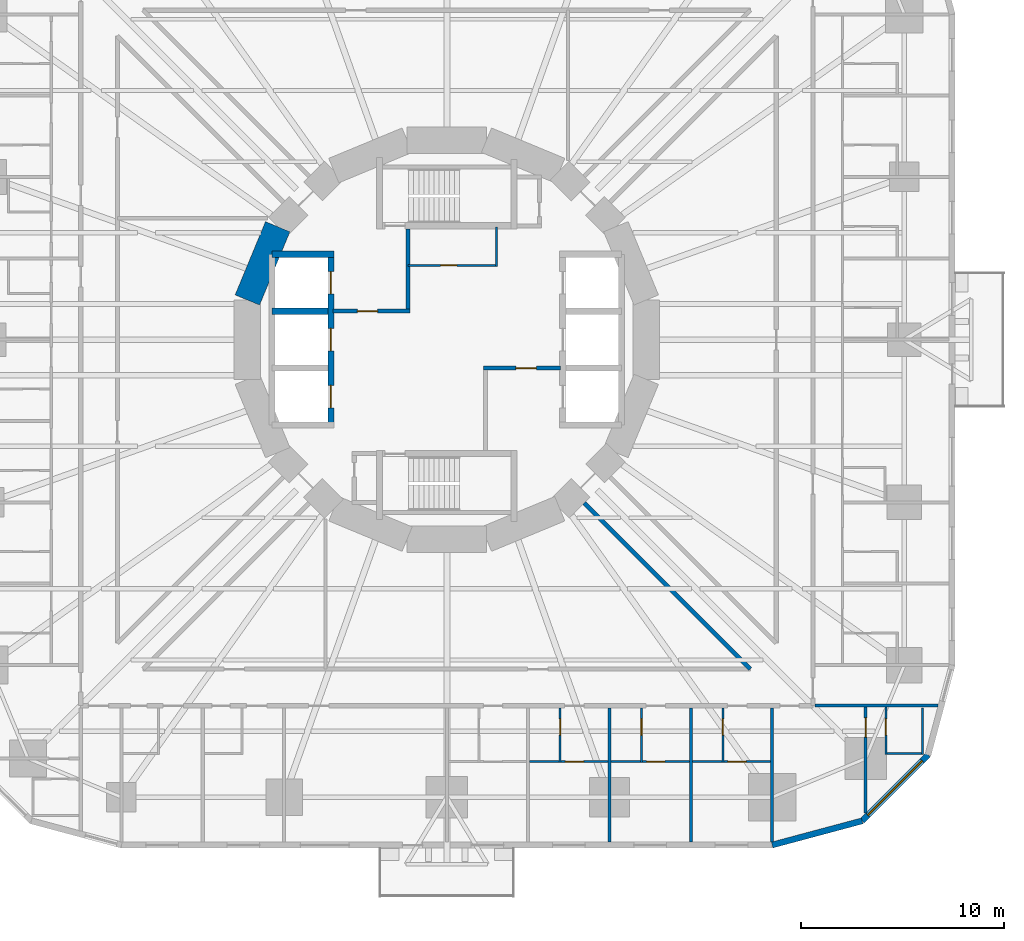
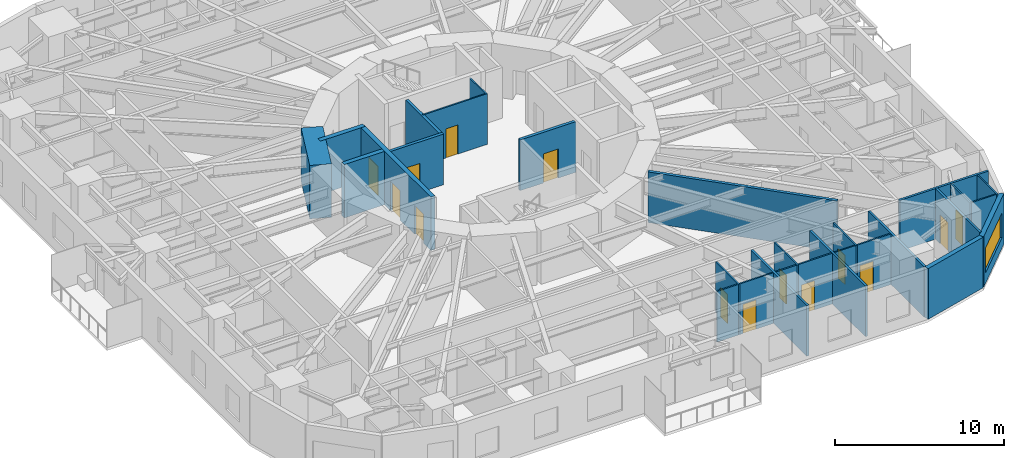
# One storey, part 7 of 14: 29 walls, 14 doors, 1 window, 15 openings.
"""IFC4 building model written with IfcOpenShell, lengths in metres."""

from ifc_helpers import new_model, si_unit, direction, frame, frame_2d, origin, place, context, subcontext, project, spatial, rectangle, extrude, material, layer, layer_set, type_object, element, fill, save


model = new_model("IFC4")

# Units and contexts
model_context = context("Model", 3, precision=1e-05, world=origin(), true_north=direction((0.0, 1.0)))
body_context = subcontext(model_context, "Body", "Model", "MODEL_VIEW")
ifc_project = project(units=[si_unit("LENGTHUNIT", "METRE"), si_unit("AREAUNIT", "SQUARE_METRE"), si_unit("VOLUMEUNIT", "CUBIC_METRE"), si_unit("PLANEANGLEUNIT", "RADIAN"), si_unit("MASSUNIT", "GRAM", prefix="KILO")], contexts=[model_context])

# Site, building, storey
site_placement = place(None, origin())
site = spatial("IfcSite", under=ifc_project, at=site_placement, CompositionType="ELEMENT")
building_placement = place(site_placement, origin())
building = spatial("IfcBuilding", under=site, at=building_placement, Name="Nakasero Lantern House", CompositionType="ELEMENT")
storey_placement = place(building_placement, frame((0.0, 0.0, 19.85009765625)))
storey = spatial("IfcBuildingStorey", under=building, at=storey_placement, Name="L04", CompositionType="ELEMENT", Elevation=19.85009765625)

# Wall, openings, doors
ifc_material_1 = material(Name="Concrete C50/60", Category="concrete")
ifc_layer_1 = layer(ifc_material_1, 0.300048828125)
ifc_layer_set_1 = layer_set([ifc_layer_1], Name="Core inner wall 300")
wall_type_1 = type_object("IfcWallType", Name="Core inner wall 300", PredefinedType="SHEAR", material=ifc_layer_set_1)
wall_1_placement = place(storey_placement, frame((-5.699951171875, -4.199951171875, 0.0), z_axis=(0.0, 0.0, 1.0), x_axis=(0.0, 1.0, 0.0)))
wall_1 = element("IfcWall", 1, at=wall_1_placement, inside=storey, type_object=wall_type_1, Name="Core inner wall L04 LW", PredefinedType="SHEAR", context=body_context, shape_type="SweptSolid", body=[
    extrude(rectangle(XDim=8.39990234375, YDim=0.300048828125, at=frame_2d((4.199951171875, 0.0))), origin(), (0.0, 0.0, 1.0), 3.849853515625),
])
opening_1_placement = place(wall_1_placement, frame((0.85009765625, 0.0, 0.0)))
opening_1 = element("IfcOpeningElement", 2, at=opening_1_placement, cuts=wall_1, Name="Opening LD", PredefinedType="OPENING", context=body_context, shape_type="SweptSolid", body=[
    extrude(rectangle(XDim=1.10009765625, YDim=2.10009765625, at=frame_2d((0.550048828125, 1.050048828125))), frame((0.0, 0.169921875, 0.0), z_axis=(0.0, -1.0, 0.0), x_axis=(1.0, 0.0, 0.0)), (0.0, 0.0, 1.0), 0.340087890625),
])
opening_2_placement = place(wall_1_placement, frame((3.64990234375, 0.0, 0.0)))
opening_2 = element("IfcOpeningElement", 3, at=opening_2_placement, cuts=wall_1, Name="Opening LD", PredefinedType="OPENING", context=body_context, shape_type="SweptSolid", body=[
    extrude(rectangle(XDim=1.10009765625, YDim=2.10009765625, at=frame_2d((0.550048828125, 1.050048828125))), frame((0.0, 0.169921875, 0.0), z_axis=(0.0, -1.0, 0.0), x_axis=(1.0, 0.0, 0.0)), (0.0, 0.0, 1.0), 0.340087890625),
])
opening_3_placement = place(wall_1_placement, frame((6.449951171875, 0.0, 0.0)))
opening_3 = element("IfcOpeningElement", 4, at=opening_3_placement, cuts=wall_1, Name="Opening LD", PredefinedType="OPENING", context=body_context, shape_type="SweptSolid", body=[
    extrude(rectangle(XDim=1.10009765625, YDim=2.10009765625, at=frame_2d((0.550048828125, 1.050048828125))), frame((0.0, 0.169921875, 0.0), z_axis=(0.0, -1.0, 0.0), x_axis=(1.0, 0.0, 0.0)), (0.0, 0.0, 1.0), 0.340087890625),
])
ifc_material_2 = material(Name="Steel S355", Category="steel")
door_type_1 = type_object("IfcDoorType", Name="Lift landing door E120 1100", OperationType="SLIDING_TO_LEFT", PredefinedType="DOOR", material=ifc_material_2)
door_1_placement = place(opening_1_placement, origin())
door_1 = element("IfcDoor", 5, at=door_1_placement, inside=storey, type_object=door_type_1, Name="Lift landing door LW1", OperationType="SLIDING_TO_LEFT", OverallHeight=2.10009765625, OverallWidth=1.10009765625, PredefinedType="DOOR", context=body_context, shape_type="SweptSolid", body=[
    extrude(rectangle(XDim=1.10009765625, YDim=2.10009765625, at=frame_2d((0.550048828125, 1.050048828125))), frame((0.0, 0.02490234375, 0.0), z_axis=(0.0, -1.0, 0.0), x_axis=(1.0, 0.0, 0.0)), (0.0, 0.0, 1.0), 0.050048828125),
])
fill(opening_1, door_1)
door_2_placement = place(opening_2_placement, origin())
door_2 = element("IfcDoor", 6, at=door_2_placement, inside=storey, type_object=door_type_1, Name="Lift landing door LW2", OperationType="SLIDING_TO_LEFT", OverallHeight=2.10009765625, OverallWidth=1.10009765625, PredefinedType="DOOR", context=body_context, shape_type="SweptSolid", body=[
    extrude(rectangle(XDim=1.10009765625, YDim=2.10009765625, at=frame_2d((0.550048828125, 1.050048828125))), frame((0.0, 0.02490234375, 0.0), z_axis=(0.0, -1.0, 0.0), x_axis=(1.0, 0.0, 0.0)), (0.0, 0.0, 1.0), 0.050048828125),
])
fill(opening_2, door_2)
door_3_placement = place(opening_3_placement, origin())
door_3 = element("IfcDoor", 7, at=door_3_placement, inside=storey, type_object=door_type_1, Name="Lift landing door LW3", OperationType="SLIDING_TO_LEFT", OverallHeight=2.10009765625, OverallWidth=1.10009765625, PredefinedType="DOOR", context=body_context, shape_type="SweptSolid", body=[
    extrude(rectangle(XDim=1.10009765625, YDim=2.10009765625, at=frame_2d((0.550048828125, 1.050048828125))), frame((0.0, 0.02490234375, 0.0), z_axis=(0.0, -1.0, 0.0), x_axis=(1.0, 0.0, 0.0)), (0.0, 0.0, 1.0), 0.050048828125),
])
fill(opening_3, door_3)

# Walls
wall_2_placement = place(storey_placement, frame((-8.60009765625, 4.199951171875, 0.0), z_axis=(0.0, 0.0, 1.0), x_axis=(1.0, 0.0, 0.0)))
element("IfcWall", 8, at=wall_2_placement, inside=storey, type_object=wall_type_1, Name="Core inner wall L04 LWN", PredefinedType="SHEAR", context=body_context, shape_type="SweptSolid", body=[
    extrude(rectangle(XDim=3.050048828125, YDim=0.300048828125, at=frame_2d((1.52490234375, 0.0))), origin(), (0.0, 0.0, 1.0), 3.849853515625),
])
wall_3_placement = place(storey_placement, frame((-8.60009765625, 1.39990234375, 0.0), z_axis=(0.0, 0.0, 1.0), x_axis=(1.0, 0.0, 0.0)))
element("IfcWall", 9, at=wall_3_placement, inside=storey, type_object=wall_type_1, Name="Core inner wall L04 LW2", PredefinedType="SHEAR", context=body_context, shape_type="SweptSolid", body=[
    extrude(rectangle(XDim=2.75, YDim=0.300048828125, at=frame_2d((1.375, 0.0))), origin(), (0.0, 0.0, 1.0), 3.849853515625),
])

# Wall, opening, door
ifc_material_3 = material(Name="Blockwork", Category="masonry")
ifc_layer_2 = layer(ifc_material_3, 0.10009765625)
ifc_layer_set_2 = layer_set([ifc_layer_2], Name="Core room wall 100")
wall_type_2 = type_object("IfcWallType", Name="Core room wall 100", PredefinedType="PARTITIONING", material=ifc_layer_set_2)
wall_4_placement = place(storey_placement, frame((-1.89990234375, 3.64990234375, 0.0), z_axis=(0.0, 0.0, 1.0), x_axis=(1.0, 0.0, 0.0)))
wall_4 = element("IfcWall", 10, at=wall_4_placement, inside=storey, type_object=wall_type_2, Name="Core room wall L04 CR-NES", PredefinedType="PARTITIONING", context=body_context, shape_type="SweptSolid", body=[
    extrude(rectangle(XDim=4.39990234375, YDim=0.10009765625, at=frame_2d((2.199951171875, 0.0))), origin(), (0.0, 0.0, 1.0), 3.64990234375),
])
opening_4_placement = place(wall_4_placement, frame((1.60009765625, 0.0, 0.0)))
opening_4 = element("IfcOpeningElement", 11, at=opening_4_placement, cuts=wall_4, Name="Opening D15", PredefinedType="OPENING", context=body_context, shape_type="SweptSolid", body=[
    extrude(rectangle(XDim=0.800048828125, YDim=2.10009765625, at=frame_2d((0.39990234375, 1.050048828125))), frame((0.0, 0.070068359375, 0.0), z_axis=(0.0, -1.0, 0.0), x_axis=(1.0, 0.0, 0.0)), (0.0, 0.0, 1.0), 0.14013671875),
])
ifc_material_4 = material(Name="Timber C24", Category="wood")
door_type_2 = type_object("IfcDoorType", Name="Cleaner's store door FD30S 800", OperationType="SINGLE_SWING_LEFT", PredefinedType="DOOR", material=ifc_material_4)
door_4_placement = place(opening_4_placement, origin())
door_4 = element("IfcDoor", 12, at=door_4_placement, inside=storey, type_object=door_type_2, Name="Door L04 D-CR-NE", OperationType="SINGLE_SWING_LEFT", OverallHeight=2.10009765625, OverallWidth=0.800048828125, PredefinedType="DOOR", context=body_context, shape_type="SweptSolid", body=[
    extrude(rectangle(XDim=0.800048828125, YDim=2.10009765625, at=frame_2d((0.39990234375, 1.050048828125))), frame((0.0, 0.02490234375, 0.0), z_axis=(0.0, -1.0, 0.0), x_axis=(1.0, 0.0, 0.0)), (0.0, 0.0, 1.0), 0.050048828125),
])
fill(opening_4, door_4)

# Walls
wall_5_placement = place(storey_placement, frame((2.449951171875, 3.60009765625, 0.0), z_axis=(0.0, 0.0, 1.0), x_axis=(0.0, 1.0, 0.0)))
element("IfcWall", 13, at=wall_5_placement, inside=storey, type_object=wall_type_2, Name="Core room wall L04 CR-NEE", PredefinedType="PARTITIONING", context=body_context, shape_type="SweptSolid", body=[
    extrude(rectangle(XDim=1.949951171875, YDim=0.10009765625, at=frame_2d((0.97509765625, 0.0))), origin(), (0.0, 0.0, 1.0), 3.64990234375),
])
ifc_material_5 = material(Name="Concrete C50/60", Category="concrete")
ifc_layer_3 = layer(ifc_material_5, 1.300048828125)
ifc_layer_set_3 = layer_set([ifc_layer_3], Name="Core wall 1300")
wall_type_3 = type_object("IfcWallType", Name="Core wall 1300", PredefinedType="SHEAR", material=ifc_layer_set_3)
wall_6_placement = place(storey_placement, frame((-8.314697265625, 5.5556640625, 0.0), z_axis=(0.0, 0.0, 1.0), x_axis=(-0.382690736062, -0.923876507187, 0.0)))
element("IfcWall", 14, at=wall_6_placement, inside=storey, type_object=wall_type_3, Name="Core wall L04 facet 7", PredefinedType="SHEAR", context=body_context, shape_type="SweptSolid", body=[
    extrude(rectangle(XDim=3.90185546875, YDim=1.300048828125, at=frame_2d((1.950927734375, 0.0))), origin(), (0.0, 0.0, 1.0), 3.849853515625),
])
ifc_material_6 = material(Name="Blockwork", Category="masonry")
ifc_layer_4 = layer(ifc_material_6, 0.199951171875)
ifc_layer_set_4 = layer_set([ifc_layer_4], Name="Corridor wall 200")
wall_type_4 = type_object("IfcWallType", Name="Corridor wall 200", PredefinedType="PARTITIONING", material=ifc_layer_set_4)
wall_7_placement = place(storey_placement, frame((6.758544921875, -8.03125, 0.0), z_axis=(0.0, 0.0, 1.0), x_axis=(0.707106781187, -0.707106781187, 0.0)))
element("IfcWall", 15, at=wall_7_placement, inside=storey, type_object=wall_type_4, Name="Corridor wall L04 PS14b", PredefinedType="PARTITIONING", context=body_context, shape_type="SweptSolid", body=[
    extrude(rectangle(XDim=11.55224609375, YDim=0.199951171875, at=frame_2d((5.776123046875, 0.0))), origin(), (0.0, 0.0, 1.0), 3.64990234375),
])

# Wall, opening, door
ifc_material_7 = material(Name="Blockwork", Category="masonry")
ifc_layer_5 = layer(ifc_material_7, 0.10009765625)
ifc_layer_set_5 = layer_set([ifc_layer_5], Name="En-suite wall 100")
wall_type_5 = type_object("IfcWallType", Name="En-suite wall 100", PredefinedType="PARTITIONING", material=ifc_layer_set_5)
wall_8_placement = place(storey_placement, frame((5.574951171875, -18.10009765625, 0.0), z_axis=(0.0, 0.0, 1.0), x_axis=(0.0, -1.0, 0.0)))
wall_8 = element("IfcWall", 16, at=wall_8_placement, inside=storey, type_object=wall_type_5, Name="En-suite wall L04 ES3-06", PredefinedType="PARTITIONING", context=body_context, shape_type="SweptSolid", body=[
    extrude(rectangle(XDim=2.699951171875, YDim=0.10009765625, at=frame_2d((1.35009765625, 0.0))), origin(), (0.0, 0.0, 1.0), 3.64990234375),
])
opening_5_placement = place(wall_8_placement, frame((0.550048828125, 0.0, 0.0)))
opening_5 = element("IfcOpeningElement", 17, at=opening_5_placement, cuts=wall_8, Name="Opening D02", PredefinedType="OPENING", context=body_context, shape_type="SweptSolid", body=[
    extrude(rectangle(XDim=0.800048828125, YDim=2.10009765625, at=frame_2d((0.39990234375, 1.050048828125))), frame((0.0, 0.070068359375, 0.0), z_axis=(0.0, -1.0, 0.0), x_axis=(1.0, 0.0, 0.0)), (0.0, 0.0, 1.0), 0.14013671875),
])
ifc_material_8 = material(Name="Timber C24", Category="wood")
door_type_3 = type_object("IfcDoorType", Name="En-suite door 800", OperationType="SINGLE_SWING_RIGHT", PredefinedType="DOOR", material=ifc_material_8)
door_5_placement = place(opening_5_placement, origin())
door_5 = element("IfcDoor", 18, at=door_5_placement, inside=storey, type_object=door_type_3, Name="Door L04 DE3-06", OperationType="SINGLE_SWING_LEFT", OverallHeight=2.10009765625, OverallWidth=0.800048828125, PredefinedType="DOOR", context=body_context, shape_type="SweptSolid", body=[
    extrude(rectangle(XDim=0.800048828125, YDim=2.10009765625, at=frame_2d((0.39990234375, 1.050048828125))), frame((0.0, 0.02490234375, 0.0), z_axis=(0.0, -1.0, 0.0), x_axis=(1.0, 0.0, 0.0)), (0.0, 0.0, 1.0), 0.050048828125),
])
fill(opening_5, door_5)

# Wall
wall_9_placement = place(storey_placement, frame((4.074951171875, -20.75, 0.0), z_axis=(0.0, 0.0, 1.0), x_axis=(1.0, 0.0, 0.0)))
element("IfcWall", 19, at=wall_9_placement, inside=storey, type_object=wall_type_5, Name="En-suite wall L04 EE3-06", PredefinedType="PARTITIONING", context=body_context, shape_type="SweptSolid", body=[
    extrude(rectangle(XDim=1.449951171875, YDim=0.10009765625, at=frame_2d((0.72509765625, 0.0))), origin(), (0.0, 0.0, 1.0), 3.64990234375),
])

# Wall, opening, door
wall_10_placement = place(storey_placement, frame((9.574951171875, -18.10009765625, 0.0), z_axis=(0.0, 0.0, 1.0), x_axis=(0.0, -1.0, 0.0)))
wall_10 = element("IfcWall", 20, at=wall_10_placement, inside=storey, type_object=wall_type_5, Name="En-suite wall L04 ES3-07", PredefinedType="PARTITIONING", context=body_context, shape_type="SweptSolid", body=[
    extrude(rectangle(XDim=2.699951171875, YDim=0.10009765625, at=frame_2d((1.35009765625, 0.0))), origin(), (0.0, 0.0, 1.0), 3.64990234375),
])
opening_6_placement = place(wall_10_placement, frame((0.550048828125, 0.0, 0.0)))
opening_6 = element("IfcOpeningElement", 21, at=opening_6_placement, cuts=wall_10, Name="Opening D02", PredefinedType="OPENING", context=body_context, shape_type="SweptSolid", body=[
    extrude(rectangle(XDim=0.800048828125, YDim=2.10009765625, at=frame_2d((0.39990234375, 1.050048828125))), frame((0.0, 0.070068359375, 0.0), z_axis=(0.0, -1.0, 0.0), x_axis=(1.0, 0.0, 0.0)), (0.0, 0.0, 1.0), 0.14013671875),
])
door_6_placement = place(opening_6_placement, origin())
door_6 = element("IfcDoor", 22, at=door_6_placement, inside=storey, type_object=door_type_3, Name="Door L04 DE3-07", OperationType="SINGLE_SWING_LEFT", OverallHeight=2.10009765625, OverallWidth=0.800048828125, PredefinedType="DOOR", context=body_context, shape_type="SweptSolid", body=[
    extrude(rectangle(XDim=0.800048828125, YDim=2.10009765625, at=frame_2d((0.39990234375, 1.050048828125))), frame((0.0, 0.02490234375, 0.0), z_axis=(0.0, -1.0, 0.0), x_axis=(1.0, 0.0, 0.0)), (0.0, 0.0, 1.0), 0.050048828125),
])
fill(opening_6, door_6)

# Wall
wall_11_placement = place(storey_placement, frame((8.074951171875, -20.75, 0.0), z_axis=(0.0, 0.0, 1.0), x_axis=(1.0, 0.0, 0.0)))
element("IfcWall", 23, at=wall_11_placement, inside=storey, type_object=wall_type_5, Name="En-suite wall L04 EE3-07", PredefinedType="PARTITIONING", context=body_context, shape_type="SweptSolid", body=[
    extrude(rectangle(XDim=1.449951171875, YDim=0.10009765625, at=frame_2d((0.72509765625, 0.0))), origin(), (0.0, 0.0, 1.0), 3.64990234375),
])

# Wall, opening, door
wall_12_placement = place(storey_placement, frame((13.574951171875, -18.10009765625, 0.0), z_axis=(0.0, 0.0, 1.0), x_axis=(0.0, -1.0, 0.0)))
wall_12 = element("IfcWall", 24, at=wall_12_placement, inside=storey, type_object=wall_type_5, Name="En-suite wall L04 ES3-08", PredefinedType="PARTITIONING", context=body_context, shape_type="SweptSolid", body=[
    extrude(rectangle(XDim=2.699951171875, YDim=0.10009765625, at=frame_2d((1.35009765625, 0.0))), origin(), (0.0, 0.0, 1.0), 3.64990234375),
])
opening_7_placement = place(wall_12_placement, frame((0.550048828125, 0.0, 0.0)))
opening_7 = element("IfcOpeningElement", 25, at=opening_7_placement, cuts=wall_12, Name="Opening D02", PredefinedType="OPENING", context=body_context, shape_type="SweptSolid", body=[
    extrude(rectangle(XDim=0.800048828125, YDim=2.10009765625, at=frame_2d((0.39990234375, 1.050048828125))), frame((0.0, 0.070068359375, 0.0), z_axis=(0.0, -1.0, 0.0), x_axis=(1.0, 0.0, 0.0)), (0.0, 0.0, 1.0), 0.14013671875),
])
door_7_placement = place(opening_7_placement, origin())
door_7 = element("IfcDoor", 26, at=door_7_placement, inside=storey, type_object=door_type_3, Name="Door L04 DE3-08", OperationType="SINGLE_SWING_LEFT", OverallHeight=2.10009765625, OverallWidth=0.800048828125, PredefinedType="DOOR", context=body_context, shape_type="SweptSolid", body=[
    extrude(rectangle(XDim=0.800048828125, YDim=2.10009765625, at=frame_2d((0.39990234375, 1.050048828125))), frame((0.0, 0.02490234375, 0.0), z_axis=(0.0, -1.0, 0.0), x_axis=(1.0, 0.0, 0.0)), (0.0, 0.0, 1.0), 0.050048828125),
])
fill(opening_7, door_7)

# Wall
wall_13_placement = place(storey_placement, frame((12.074951171875, -20.75, 0.0), z_axis=(0.0, 0.0, 1.0), x_axis=(1.0, 0.0, 0.0)))
element("IfcWall", 27, at=wall_13_placement, inside=storey, type_object=wall_type_5, Name="En-suite wall L04 EE3-08", PredefinedType="PARTITIONING", context=body_context, shape_type="SweptSolid", body=[
    extrude(rectangle(XDim=1.449951171875, YDim=0.10009765625, at=frame_2d((0.72509765625, 0.0))), origin(), (0.0, 0.0, 1.0), 3.64990234375),
])

# Wall, opening, door
wall_14_placement = place(storey_placement, frame((21.59619140625, -18.06494140625, 0.0), z_axis=(0.0, 0.0, 1.0), x_axis=(0.0, -1.0, 0.0)))
wall_14 = element("IfcWall", 28, at=wall_14_placement, inside=storey, type_object=wall_type_5, Name="En-suite wall L04 ES3-09", PredefinedType="PARTITIONING", context=body_context, shape_type="SweptSolid", body=[
    extrude(rectangle(XDim=2.3349609375, YDim=0.10009765625, at=frame_2d((1.16748046875, 0.0))), origin(), (0.0, 0.0, 1.0), 3.64990234375),
])
opening_8_placement = place(wall_14_placement, frame((0.5849609375, 0.0, 0.0)))
opening_8 = element("IfcOpeningElement", 29, at=opening_8_placement, cuts=wall_14, Name="Opening D02", PredefinedType="OPENING", context=body_context, shape_type="SweptSolid", body=[
    extrude(rectangle(XDim=0.800048828125, YDim=2.10009765625, at=frame_2d((0.39990234375, 1.050048828125))), frame((0.0, 0.070068359375, 0.0), z_axis=(0.0, -1.0, 0.0), x_axis=(1.0, 0.0, 0.0)), (0.0, 0.0, 1.0), 0.14013671875),
])
door_8_placement = place(opening_8_placement, origin())
door_8 = element("IfcDoor", 30, at=door_8_placement, inside=storey, type_object=door_type_3, Name="Door L04 DE3-09", OperationType="SINGLE_SWING_LEFT", OverallHeight=2.10009765625, OverallWidth=0.800048828125, PredefinedType="DOOR", context=body_context, shape_type="SweptSolid", body=[
    extrude(rectangle(XDim=0.800048828125, YDim=2.10009765625, at=frame_2d((0.39990234375, 1.050048828125))), frame((0.0, 0.02490234375, 0.0), z_axis=(0.0, -1.0, 0.0), x_axis=(1.0, 0.0, 0.0)), (0.0, 0.0, 1.0), 0.050048828125),
])
fill(opening_8, door_8)

# Walls
wall_15_placement = place(storey_placement, frame((21.646240234375, -20.35009765625, 0.0), z_axis=(0.0, 0.0, 1.0), x_axis=(1.0, 0.0, 0.0)))
element("IfcWall", 31, at=wall_15_placement, inside=storey, type_object=wall_type_5, Name="En-suite wall L04 EE3-09", PredefinedType="PARTITIONING", context=body_context, shape_type="SweptSolid", body=[
    extrude(rectangle(XDim=1.699951171875, YDim=0.10009765625, at=frame_2d((0.85009765625, 0.0))), origin(), (0.0, 0.0, 1.0), 3.64990234375),
])
wall_16_placement = place(storey_placement, frame((23.396240234375, -18.10009765625, 0.0), z_axis=(0.0, 0.0, 1.0), x_axis=(0.0, -1.0, 0.0)))
element("IfcWall", 32, at=wall_16_placement, inside=storey, type_object=wall_type_5, Name="En-suite wall L04 EV3-09", PredefinedType="PARTITIONING", context=body_context, shape_type="SweptSolid", body=[
    extrude(rectangle(XDim=2.2998046875, YDim=0.10009765625, at=frame_2d((1.14990234375, 0.0))), origin(), (0.0, 0.0, 1.0), 3.64990234375),
])

# Wall, opening, door
wall_17_placement = place(storey_placement, frame((5.625, -20.75, 0.0), z_axis=(0.0, 0.0, 1.0), x_axis=(1.0, 0.0, 0.0)))
wall_17 = element("IfcWall", 33, at=wall_17_placement, inside=storey, type_object=wall_type_5, Name="En-suite wall L04 EL3-06", PredefinedType="PARTITIONING", context=body_context, shape_type="SweptSolid", body=[
    extrude(rectangle(XDim=2.300048828125, YDim=0.10009765625, at=frame_2d((1.14990234375, 0.0))), origin(), (0.0, 0.0, 1.0), 3.64990234375),
])
opening_9_placement = place(wall_17_placement, frame((0.199951171875, 0.0, 0.0)))
opening_9 = element("IfcOpeningElement", 34, at=opening_9_placement, cuts=wall_17, Name="Opening D17", PredefinedType="OPENING", context=body_context, shape_type="SweptSolid", body=[
    extrude(rectangle(XDim=0.89990234375, YDim=2.10009765625, at=frame_2d((0.449951171875, 1.050048828125))), frame((0.0, 0.070068359375, 0.0), z_axis=(0.0, -1.0, 0.0), x_axis=(1.0, 0.0, 0.0)), (0.0, 0.0, 1.0), 0.14013671875),
])
ifc_material_9 = material(Name="Timber C24", Category="wood")
door_type_4 = type_object("IfcDoorType", Name="Bedroom door FD30S 900", OperationType="SINGLE_SWING_LEFT", PredefinedType="DOOR", material=ifc_material_9)
door_9_placement = place(opening_9_placement, origin())
door_9 = element("IfcDoor", 35, at=door_9_placement, inside=storey, type_object=door_type_4, Name="Door L04 DL3-06", OperationType="SINGLE_SWING_LEFT", OverallHeight=2.10009765625, OverallWidth=0.89990234375, PredefinedType="DOOR", context=body_context, shape_type="SweptSolid", body=[
    extrude(rectangle(XDim=0.89990234375, YDim=2.10009765625, at=frame_2d((0.449951171875, 1.050048828125))), frame((0.0, 0.02490234375, 0.0), z_axis=(0.0, -1.0, 0.0), x_axis=(1.0, 0.0, 0.0)), (0.0, 0.0, 1.0), 0.050048828125),
])
fill(opening_9, door_9)

wall_18_placement = place(storey_placement, frame((9.625, -20.75, 0.0), z_axis=(0.0, 0.0, 1.0), x_axis=(1.0, 0.0, 0.0)))
wall_18 = element("IfcWall", 36, at=wall_18_placement, inside=storey, type_object=wall_type_5, Name="En-suite wall L04 EL3-07", PredefinedType="PARTITIONING", context=body_context, shape_type="SweptSolid", body=[
    extrude(rectangle(XDim=2.300048828125, YDim=0.10009765625, at=frame_2d((1.14990234375, 0.0))), origin(), (0.0, 0.0, 1.0), 3.64990234375),
])
opening_10_placement = place(wall_18_placement, frame((0.199951171875, 0.0, 0.0)))
opening_10 = element("IfcOpeningElement", 37, at=opening_10_placement, cuts=wall_18, Name="Opening D17", PredefinedType="OPENING", context=body_context, shape_type="SweptSolid", body=[
    extrude(rectangle(XDim=0.89990234375, YDim=2.10009765625, at=frame_2d((0.449951171875, 1.050048828125))), frame((0.0, 0.070068359375, 0.0), z_axis=(0.0, -1.0, 0.0), x_axis=(1.0, 0.0, 0.0)), (0.0, 0.0, 1.0), 0.14013671875),
])
door_10_placement = place(opening_10_placement, origin())
door_10 = element("IfcDoor", 38, at=door_10_placement, inside=storey, type_object=door_type_4, Name="Door L04 DL3-07", OperationType="SINGLE_SWING_LEFT", OverallHeight=2.10009765625, OverallWidth=0.89990234375, PredefinedType="DOOR", context=body_context, shape_type="SweptSolid", body=[
    extrude(rectangle(XDim=0.89990234375, YDim=2.10009765625, at=frame_2d((0.449951171875, 1.050048828125))), frame((0.0, 0.02490234375, 0.0), z_axis=(0.0, -1.0, 0.0), x_axis=(1.0, 0.0, 0.0)), (0.0, 0.0, 1.0), 0.050048828125),
])
fill(opening_10, door_10)

wall_19_placement = place(storey_placement, frame((13.625, -20.75, 0.0), z_axis=(0.0, 0.0, 1.0), x_axis=(1.0, 0.0, 0.0)))
wall_19 = element("IfcWall", 39, at=wall_19_placement, inside=storey, type_object=wall_type_5, Name="En-suite wall L04 EL3-08", PredefinedType="PARTITIONING", context=body_context, shape_type="SweptSolid", body=[
    extrude(rectangle(XDim=2.300048828125, YDim=0.10009765625, at=frame_2d((1.14990234375, 0.0))), origin(), (0.0, 0.0, 1.0), 3.64990234375),
])
opening_11_placement = place(wall_19_placement, frame((0.199951171875, 0.0, 0.0)))
opening_11 = element("IfcOpeningElement", 40, at=opening_11_placement, cuts=wall_19, Name="Opening D17", PredefinedType="OPENING", context=body_context, shape_type="SweptSolid", body=[
    extrude(rectangle(XDim=0.89990234375, YDim=2.10009765625, at=frame_2d((0.449951171875, 1.050048828125))), frame((0.0, 0.070068359375, 0.0), z_axis=(0.0, -1.0, 0.0), x_axis=(1.0, 0.0, 0.0)), (0.0, 0.0, 1.0), 0.14013671875),
])
door_11_placement = place(opening_11_placement, origin())
door_11 = element("IfcDoor", 41, at=door_11_placement, inside=storey, type_object=door_type_4, Name="Door L04 DL3-08", OperationType="SINGLE_SWING_LEFT", OverallHeight=2.10009765625, OverallWidth=0.89990234375, PredefinedType="DOOR", context=body_context, shape_type="SweptSolid", body=[
    extrude(rectangle(XDim=0.89990234375, YDim=2.10009765625, at=frame_2d((0.449951171875, 1.050048828125))), frame((0.0, 0.02490234375, 0.0), z_axis=(0.0, -1.0, 0.0), x_axis=(1.0, 0.0, 0.0)), (0.0, 0.0, 1.0), 0.050048828125),
])
fill(opening_11, door_11)

# Wall
ifc_material_10 = material(Name="Aluminium rainscreen on blockwork", Category="masonry")
ifc_layer_6 = layer(ifc_material_10, 0.300048828125)
ifc_layer_set_6 = layer_set([ifc_layer_6], Name="Facade wall 300")
wall_type_6 = type_object("IfcWallType", Name="Facade wall 300", PredefinedType="SOLIDWALL", material=ifc_layer_set_6)
wall_20_placement = place(storey_placement, frame((16.0, -24.85009765625, 0.0), z_axis=(0.0, 0.0, 1.0), x_axis=(0.965920218567, 0.258839972501, 0.0)))
element("IfcWall", 42, at=wall_20_placement, inside=storey, type_object=wall_type_6, Name="Facade wall L04 FW3C1", PredefinedType="SOLIDWALL", context=body_context, shape_type="SweptSolid", body=[
    extrude(rectangle(XDim=4.5810546875, YDim=0.300048828125, at=frame_2d((2.29052734375, 0.0))), origin(), (0.0, 0.0, 1.0), 3.64990234375),
])

# Wall, opening, window
wall_21_placement = place(storey_placement, frame((20.425048828125, -23.664306640625, 0.0), z_axis=(0.0, 0.0, 1.0), x_axis=(0.707106781187, 0.707106781187, 0.0)))
wall_21 = element("IfcWall", 43, at=wall_21_placement, inside=storey, type_object=wall_type_6, Name="Facade wall L04 FW3C2", PredefinedType="SOLIDWALL", context=body_context, shape_type="SweptSolid", body=[
    extrude(rectangle(XDim=4.5810546875, YDim=0.300048828125, at=frame_2d((2.29052734375, 0.0))), origin(), (0.0, 0.0, 1.0), 3.64990234375),
])
opening_12_placement = place(wall_21_placement, frame((0.39990234375, 0.0, 0.75)))
opening_12 = element("IfcOpeningElement", 44, at=opening_12_placement, cuts=wall_21, Name="Opening W237", PredefinedType="OPENING", context=body_context, shape_type="SweptSolid", body=[
    extrude(rectangle(XDim=3.781005859375, YDim=1.800048828125, at=frame_2d((1.890625, 0.89990234375))), frame((0.0, 0.169921875, 0.0), z_axis=(0.0, -1.0, 0.0), x_axis=(1.0, 0.0, 0.0)), (0.0, 0.0, 1.0), 0.340087890625),
])
ifc_material_11 = material(Name="Aluminium 6063-T6 and glass", Category="aluminium")
window_type = type_object("IfcWindowType", Name="Corner window 3781x1800", PartitioningType="SINGLE_PANEL", PredefinedType="WINDOW", material=ifc_material_11)
window_placement = place(opening_12_placement, origin())
window = element("IfcWindow", 45, at=window_placement, inside=storey, type_object=window_type, Name="Window L04 WC3", OverallHeight=1.800048828125, OverallWidth=3.781005859375, PartitioningType="SINGLE_PANEL", PredefinedType="WINDOW", context=body_context, shape_type="SweptSolid", body=[
    extrude(rectangle(XDim=3.781005859375, YDim=1.800048828125, at=frame_2d((1.890625, 0.89990234375))), frame((0.0, 0.030029296875, 0.0), z_axis=(0.0, -1.0, 0.0), x_axis=(1.0, 0.0, 0.0)), (0.0, 0.0, 1.0), 0.06005859375),
])
fill(opening_12, window)

# Wall, opening, door
ifc_material_12 = material(Name="Blockwork", Category="masonry")
ifc_layer_7 = layer(ifc_material_12, 0.199951171875)
ifc_layer_set_7 = layer_set([ifc_layer_7], Name="Fire lobby wall 200")
wall_type_7 = type_object("IfcWallType", Name="Fire lobby wall 200", PredefinedType="PARTITIONING", material=ifc_layer_set_7)
wall_22_placement = place(storey_placement, frame((-5.60009765625, 1.39990234375, 0.0), z_axis=(0.0, 0.0, 1.0), x_axis=(1.0, 0.0, 0.0)))
wall_22 = element("IfcWall", 46, at=wall_22_placement, inside=storey, type_object=wall_type_7, Name="Fire lobby wall L04 W-FL1S", PredefinedType="PARTITIONING", context=body_context, shape_type="SweptSolid", body=[
    extrude(rectangle(XDim=3.800048828125, YDim=0.199951171875, at=frame_2d((1.89990234375, 0.0))), origin(), (0.0, 0.0, 1.0), 3.64990234375),
])
opening_13_placement = place(wall_22_placement, frame((1.199951171875, 0.0, 0.0)))
opening_13 = element("IfcOpeningElement", 47, at=opening_13_placement, cuts=wall_22, Name="Opening D05", PredefinedType="OPENING", context=body_context, shape_type="SweptSolid", body=[
    extrude(rectangle(XDim=1.0, YDim=2.10009765625, at=frame_2d((0.5, 1.050048828125))), frame((0.0, 0.119873046875, 0.0), z_axis=(0.0, -1.0, 0.0), x_axis=(1.0, 0.0, 0.0)), (0.0, 0.0, 1.0), 0.239990234375),
])
ifc_material_13 = material(Name="Timber C24", Category="wood")
door_type_5 = type_object("IfcDoorType", Name="Core door FD60S 1000", OperationType="SINGLE_SWING_LEFT", PredefinedType="DOOR", material=ifc_material_13)
door_12_placement = place(opening_13_placement, origin())
door_12 = element("IfcDoor", 48, at=door_12_placement, inside=storey, type_object=door_type_5, Name="Door L04 D-FL1", OperationType="SINGLE_SWING_LEFT", OverallHeight=2.10009765625, OverallWidth=1.0, PredefinedType="DOOR", context=body_context, shape_type="SweptSolid", body=[
    extrude(rectangle(XDim=1.0, YDim=2.10009765625, at=frame_2d((0.5, 1.050048828125))), frame((0.0, 0.02490234375, 0.0), z_axis=(0.0, -1.0, 0.0), x_axis=(1.0, 0.0, 0.0)), (0.0, 0.0, 1.0), 0.050048828125),
])
fill(opening_13, door_12)

# Wall
wall_23_placement = place(storey_placement, frame((-1.89990234375, 1.5, 0.0), z_axis=(0.0, 0.0, 1.0), x_axis=(0.0, 1.0, 0.0)))
element("IfcWall", 49, at=wall_23_placement, inside=storey, type_object=wall_type_7, Name="Fire lobby wall L04 W-FL1E", PredefinedType="PARTITIONING", context=body_context, shape_type="SweptSolid", body=[
    extrude(rectangle(XDim=3.949951171875, YDim=0.199951171875, at=frame_2d((1.97509765625, 0.0))), origin(), (0.0, 0.0, 1.0), 3.64990234375),
])

# Wall, opening, door
wall_24_placement = place(storey_placement, frame((5.60009765625, -1.39990234375, 0.0), z_axis=(0.0, 0.0, 1.0), x_axis=(-1.0, 0.0, 0.0)))
wall_24 = element("IfcWall", 50, at=wall_24_placement, inside=storey, type_object=wall_type_7, Name="Fire lobby wall L04 W-FL2N", PredefinedType="PARTITIONING", context=body_context, shape_type="SweptSolid", body=[
    extrude(rectangle(XDim=3.800048828125, YDim=0.199951171875, at=frame_2d((1.89990234375, 0.0))), origin(), (0.0, 0.0, 1.0), 3.64990234375),
])
opening_14_placement = place(wall_24_placement, frame((1.199951171875, 0.0, 0.0)))
opening_14 = element("IfcOpeningElement", 51, at=opening_14_placement, cuts=wall_24, Name="Opening D05", PredefinedType="OPENING", context=body_context, shape_type="SweptSolid", body=[
    extrude(rectangle(XDim=1.0, YDim=2.10009765625, at=frame_2d((0.5, 1.050048828125))), frame((0.0, 0.119873046875, 0.0), z_axis=(0.0, -1.0, 0.0), x_axis=(1.0, 0.0, 0.0)), (0.0, 0.0, 1.0), 0.239990234375),
])
door_13_placement = place(opening_14_placement, origin())
door_13 = element("IfcDoor", 52, at=door_13_placement, inside=storey, type_object=door_type_5, Name="Door L04 D-FL2", OperationType="SINGLE_SWING_LEFT", OverallHeight=2.10009765625, OverallWidth=1.0, PredefinedType="DOOR", context=body_context, shape_type="SweptSolid", body=[
    extrude(rectangle(XDim=1.0, YDim=2.10009765625, at=frame_2d((0.5, 1.050048828125))), frame((0.0, 0.02490234375, 0.0), z_axis=(0.0, -1.0, 0.0), x_axis=(1.0, 0.0, 0.0)), (0.0, 0.0, 1.0), 0.050048828125),
])
fill(opening_14, door_13)

# Walls
ifc_material_14 = material(Name="Blockwork", Category="masonry")
ifc_layer_8 = layer(ifc_material_14, 0.14990234375)
ifc_layer_set_8 = layer_set([ifc_layer_8], Name="Party wall 150")
wall_type_8 = type_object("IfcWallType", Name="Party wall 150", PredefinedType="PARTITIONING", material=ifc_layer_set_8)
wall_25_placement = place(storey_placement, frame((18.10009765625, -18.0, 0.0), z_axis=(0.0, 0.0, 1.0), x_axis=(1.0, 0.0, 0.0)))
element("IfcWall", 53, at=wall_25_placement, inside=storey, type_object=wall_type_8, Name="Party wall L04 PW0-00", PredefinedType="PARTITIONING", context=body_context, shape_type="SweptSolid", body=[
    extrude(rectangle(XDim=6.053466796875, YDim=0.14990234375, at=frame_2d((3.02685546875, 0.0))), origin(), (0.0, 0.0, 1.0), 3.64990234375),
])
for number, where, z_axis, x_axis, name in (
    (54, (8.0, -18.10009765625, 0.0), (0.0, 0.0, 1.0), (0.0, -1.0, 0.0), "Party wall L04 PW3-07"),
    (55, (12.0, -18.10009765625, 0.0), (0.0, 0.0, 1.0), (0.0, -1.0, 0.0), "Party wall L04 PW3-08"),
):
    element("IfcWall", number, at=place(storey_placement, frame(where, z_axis=z_axis, x_axis=x_axis)), inside=storey, type_object=wall_type_8, Name=name, PredefinedType="PARTITIONING", context=body_context, shape_type="SweptSolid", body=[
        extrude(rectangle(XDim=6.599853515625, YDim=0.14990234375, at=frame_2d((3.2998046875, 0.0))), origin(), (0.0, 0.0, 1.0), 3.64990234375),
    ])
wall_26_placement = place(storey_placement, frame((16.0, -18.10009765625, 0.0), z_axis=(0.0, 0.0, 1.0), x_axis=(0.0, -1.0, 0.0)))
element("IfcWall", 56, at=wall_26_placement, inside=storey, type_object=wall_type_8, Name="Party wall L04 PW3-09", PredefinedType="PARTITIONING", context=body_context, shape_type="SweptSolid", body=[
    extrude(rectangle(XDim=6.58935546875, YDim=0.14990234375, at=frame_2d((3.294677734375, 0.0))), origin(), (0.0, 0.0, 1.0), 3.64990234375),
])

# Wall, opening, door
wall_27_placement = place(storey_placement, frame((20.59619140625, -18.06494140625, 0.0), z_axis=(0.0, 0.0, 1.0), x_axis=(0.0, -1.0, 0.0)))
wall_27 = element("IfcWall", 57, at=wall_27_placement, inside=storey, type_object=wall_type_8, Name="Party wall L04 PC3", PredefinedType="PARTITIONING", context=body_context, shape_type="SweptSolid", body=[
    extrude(rectangle(XDim=5.208740234375, YDim=0.14990234375, at=frame_2d((2.6044921875, 0.0))), origin(), (0.0, 0.0, 1.0), 3.64990234375),
])
opening_15_placement = place(wall_27_placement, frame((0.534912109375, 0.0, 0.0)))
opening_15 = element("IfcOpeningElement", 58, at=opening_15_placement, cuts=wall_27, Name="Opening D01", PredefinedType="OPENING", context=body_context, shape_type="SweptSolid", body=[
    extrude(rectangle(XDim=0.949951171875, YDim=2.10009765625, at=frame_2d((0.47509765625, 1.050048828125))), frame((0.0, 0.094970703125, 0.0), z_axis=(0.0, -1.0, 0.0), x_axis=(1.0, 0.0, 0.0)), (0.0, 0.0, 1.0), 0.18994140625),
])
ifc_material_15 = material(Name="Timber C24", Category="wood")
door_type_6 = type_object("IfcDoorType", Name="Bedroom door FD30S 950", OperationType="SINGLE_SWING_LEFT", PredefinedType="DOOR", material=ifc_material_15)
door_14_placement = place(opening_15_placement, origin())
door_14 = element("IfcDoor", 59, at=door_14_placement, inside=storey, type_object=door_type_6, Name="Door L04 DC3", OperationType="SINGLE_SWING_LEFT", OverallHeight=2.10009765625, OverallWidth=0.949951171875, PredefinedType="DOOR", context=body_context, shape_type="SweptSolid", body=[
    extrude(rectangle(XDim=0.949951171875, YDim=2.10009765625, at=frame_2d((0.47509765625, 1.050048828125))), frame((0.0, 0.02490234375, 0.0), z_axis=(0.0, -1.0, 0.0), x_axis=(1.0, 0.0, 0.0)), (0.0, 0.0, 1.0), 0.050048828125),
])
fill(opening_15, door_14)

save(model, "model.ifc")
